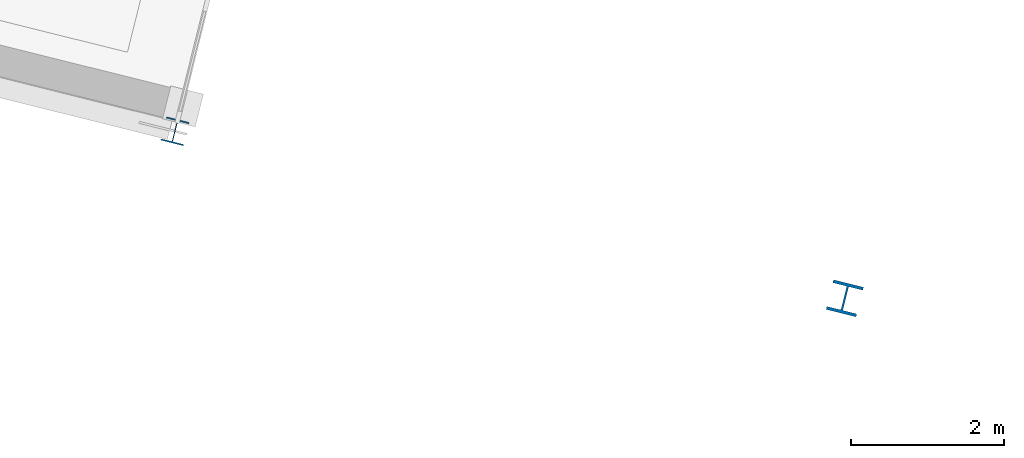
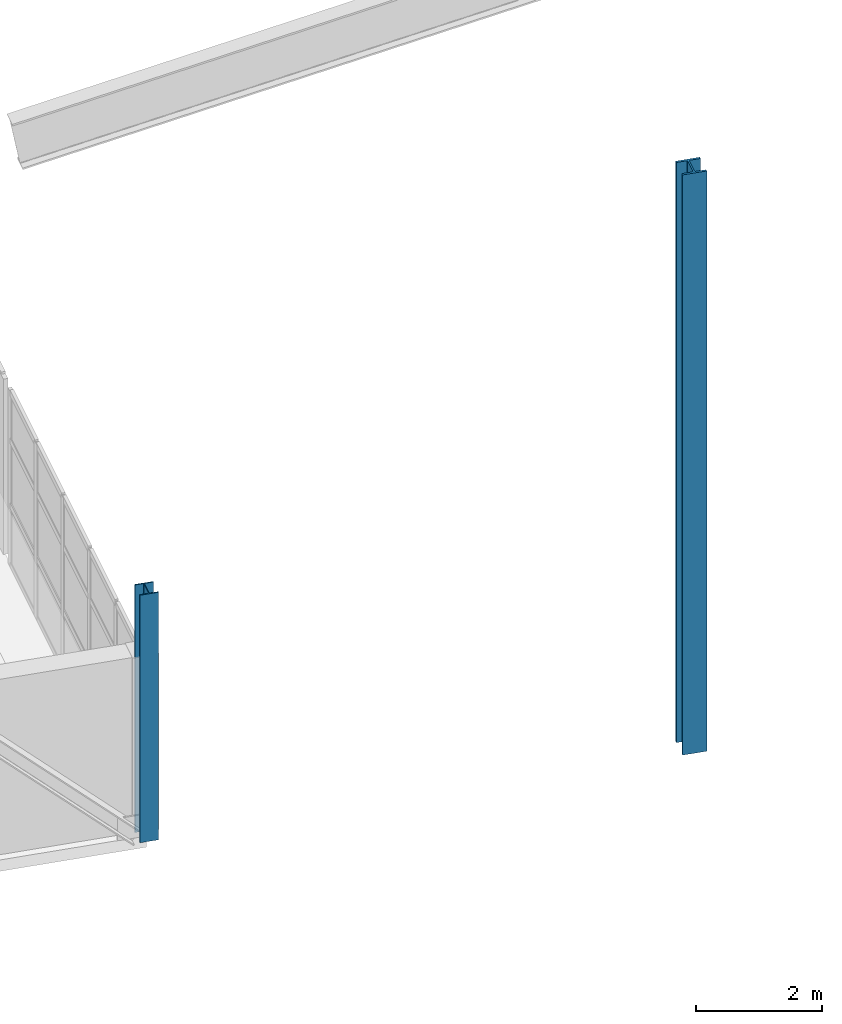
# One storey, part 4 of 59: 2 columns.
"""IFC4 building model written with IfcOpenShell, lengths in metres."""

from ifc_helpers import new_model, si_unit, direction, frame, origin, origin_2d, place, context, subcontext, project, spatial, i_section, extrude, material, material_profile, profile_set, type_object, element, save


model = new_model("IFC4")

# Units and contexts
model_context = context("Model", 3, precision=1e-05, world=origin(), true_north=direction((0.0, 1.0)))
body_context = subcontext(model_context, "Body", "Model", "MODEL_VIEW")
ifc_project = project(units=[si_unit("LENGTHUNIT", "METRE"), si_unit("AREAUNIT", "SQUARE_METRE"), si_unit("VOLUMEUNIT", "CUBIC_METRE"), si_unit("PLANEANGLEUNIT", "RADIAN"), si_unit("MASSUNIT", "GRAM", prefix="KILO")], contexts=[model_context])

# Site, building, storey
site_placement = place(None, origin())
site = spatial("IfcSite", under=ifc_project, at=site_placement, CompositionType="ELEMENT")
building_placement = place(site_placement, origin())
building = spatial("IfcBuilding", under=site, at=building_placement, Name="Vireo Bluff Cable Station", CompositionType="ELEMENT")
storey_placement = place(building_placement, frame((0.0, 0.0, 14.39990234375)))
storey = spatial("IfcBuildingStorey", under=building, at=storey_placement, Name="L03", CompositionType="ELEMENT", Elevation=14.39990234375)

# Columns
ifc_material = material(Name="Steel ASTM A992 Gr. 50", Category="steel")
ifc_material_profile_1 = material_profile(ifc_material, i_section(OverallWidth=0.306884765625, OverallDepth=0.31494140625, WebThickness=0.011962890625, FlangeThickness=0.018798828125, FilletRadius=0.012939453125, at=origin_2d()), Name="W12X79")
ifc_profile_set_1 = profile_set([ifc_material_profile_1], Name="Steel ASTM A992 Gr. 50")
column_type_1 = type_object("IfcColumnType", Name="ECOL-W12X79", PredefinedType="COLUMN", material=ifc_profile_set_1)
column_1_placement = place(storey_placement, frame((106.39599609375, 24.936279296875, 0.0), z_axis=(0.0, 0.0, 1.0), x_axis=(0.970295726276, -0.2419218956, 0.0)))
element("IfcColumn", 1, at=column_1_placement, inside=storey, type_object=column_type_1, Name="V1 L03 column 116", PredefinedType="COLUMN", context=body_context, shape_type="SweptSolid", body=[
    extrude(i_section(OverallWidth=0.306884765625, OverallDepth=0.31494140625, WebThickness=0.011962890625, FlangeThickness=0.018798828125, FilletRadius=0.012939453125, at=origin_2d()), origin(), (0.0, 0.0, 1.0), 4.800048828125),
])
ifc_material_profile_2 = material_profile(ifc_material, i_section(OverallWidth=0.40087890625, OverallDepth=0.39892578125, WebThickness=0.02490234375, FlangeThickness=0.03955078125, FilletRadius=0.014892578125, at=origin_2d()), Name="W14X211")
ifc_profile_set_2 = profile_set([ifc_material_profile_2], Name="Steel ASTM A992 Gr. 50")
column_type_2 = type_object("IfcColumnType", Name="ECOL-W14X211", PredefinedType="COLUMN", material=ifc_profile_set_2)
column_2_placement = place(storey_placement, frame((115.128662109375, 22.759033203125, 0.0), z_axis=(0.0, 0.0, 1.0), x_axis=(0.970295726276, -0.2419218956, 0.0)))
element("IfcColumn", 2, at=column_2_placement, inside=storey, type_object=column_type_2, Name="Cableway departure portal upper column 1", PredefinedType="COLUMN", context=body_context, shape_type="SweptSolid", body=[
    extrude(i_section(OverallWidth=0.40087890625, OverallDepth=0.39892578125, WebThickness=0.02490234375, FlangeThickness=0.03955078125, FilletRadius=0.014892578125, at=origin_2d()), origin(), (0.0, 0.0, 1.0), 11.25),
])

save(model, "model.ifc")
